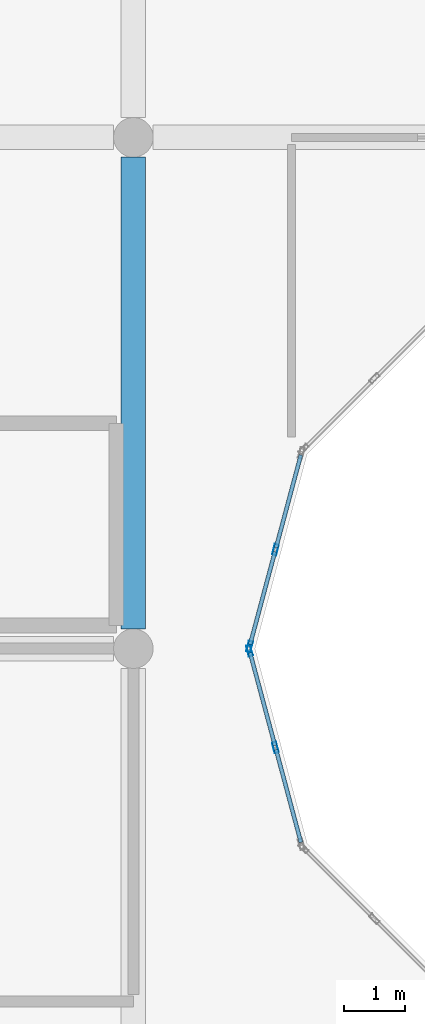
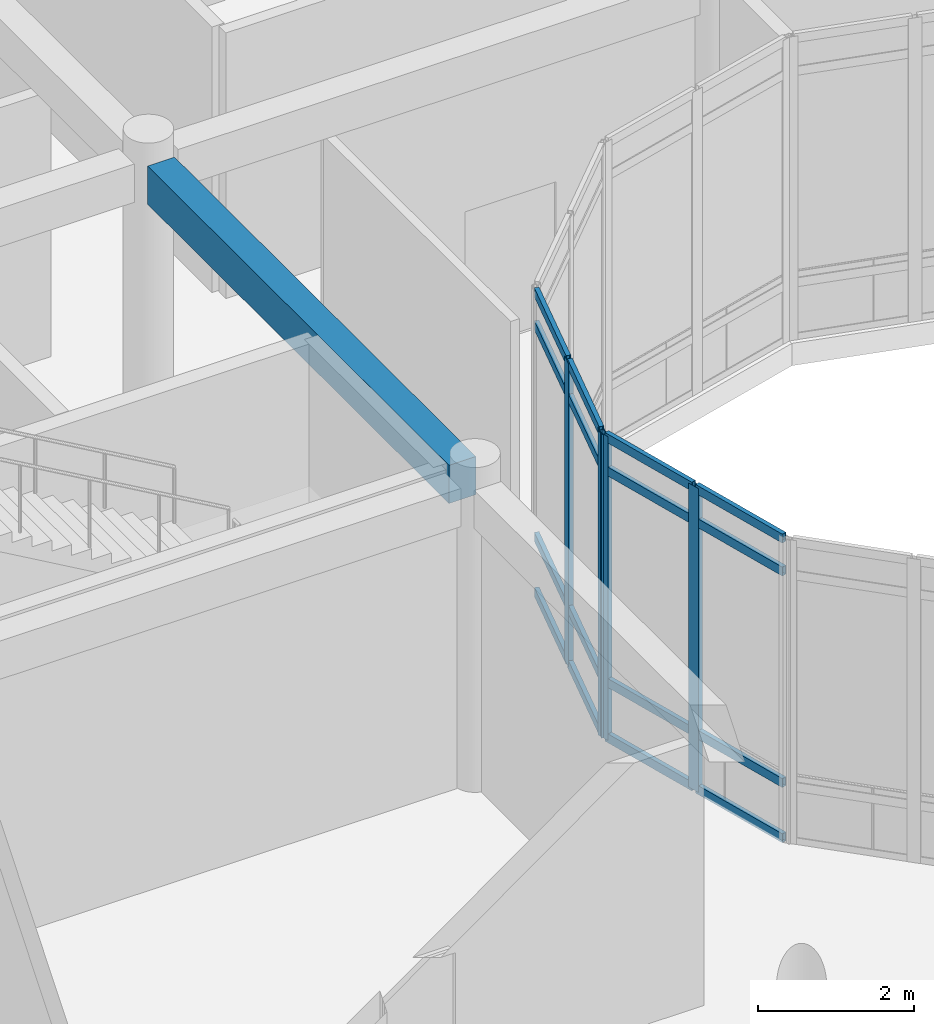
# One storey, part 49 of 134: 20 members, 1 beam, 2 elements without a shape of their own.
"""IFC4 building model written with IfcOpenShell, lengths in metres."""

from ifc_helpers import new_model, si_unit, direction, frame, origin, origin_2d, place, context, subcontext, project, spatial, rectangle, hollow_rectangle, extrude, material, layer, layer_set, material_profile, profile_set, type_object, element, aggregate, save


model = new_model("IFC4")

# Units and contexts
model_context = context("Model", 3, precision=1e-05, world=origin(), true_north=direction((0.0, 1.0)))
body_context = subcontext(model_context, "Body", "Model", "MODEL_VIEW")
ifc_project = project(units=[si_unit("LENGTHUNIT", "METRE"), si_unit("AREAUNIT", "SQUARE_METRE"), si_unit("VOLUMEUNIT", "CUBIC_METRE"), si_unit("PLANEANGLEUNIT", "RADIAN"), si_unit("MASSUNIT", "GRAM", prefix="KILO")], contexts=[model_context])

# Site, building, storey
site_placement = place(None, origin())
site = spatial("IfcSite", under=ifc_project, at=site_placement, CompositionType="ELEMENT")
building_placement = place(site_placement, origin())
building = spatial("IfcBuilding", under=site, at=building_placement, Name="Bramfleet General Hospital", CompositionType="ELEMENT")
storey_placement = place(building_placement, frame((0.0, 0.0, 9.300048828125)))
storey = spatial("IfcBuildingStorey", under=building, at=storey_placement, Name="L02", CompositionType="ELEMENT", Elevation=9.300048828125)

# Beam
ifc_material_1 = material(Name="Concrete C35/45", Category="concrete")
ifc_material_profile_1 = material_profile(ifc_material_1, rectangle(XDim=0.39990234375, YDim=0.60009765625, at=origin_2d()), Name="RC BM 600x400")
ifc_profile_set_1 = profile_set([ifc_material_profile_1], Name="Concrete C35/45")
beam_type = type_object("IfcBeamType", Name="BM-RC600", PredefinedType="BEAM", material=ifc_profile_set_1)
beam_placement = place(storey_placement, frame((109.199951171875, 67.52490234375, 4.47998046875), z_axis=(0.0, 1.0, 0.0), x_axis=(-1.0, 0.0, 0.0)))
element("IfcBeam", 1, at=beam_placement, inside=storey, type_object=beam_type, Name="L02 Grid Beam Y 13-08", PredefinedType="BEAM", context=body_context, shape_type="SweptSolid", body=[
    extrude(rectangle(XDim=0.39990234375, YDim=0.60009765625, at=origin_2d()), origin(), (0.0, 0.0, 1.0), 7.75),
])

# Curtain wall, members
ifc_material_2 = material(Name="Anodised aluminium and low-E triple glazing", Category="aluminium")
ifc_layer_1 = layer(ifc_material_2, 0.179931640625, Name="CWT-CW-13")
ifc_layer_set_1 = layer_set([ifc_layer_1], Name="Anodised aluminium and low-E triple glazing")
curtain_wall_type_1 = type_object("IfcCurtainWallType", Name="CWT-CW-13", PredefinedType="USERDEFINED", material=ifc_layer_set_1)
curtain_wall_1_placement = place(storey_placement, origin())
curtain_wall_1 = element("IfcCurtainWall", 2, at=curtain_wall_1_placement, inside=storey, type_object=curtain_wall_type_1, Name="L02 East Laboratory Light Court Curtain Wall 1.1", ObjectType="Stick curtain wall", PredefinedType="USERDEFINED")
ifc_material_3 = material(Name="Anodised aluminium EN AW-6060", Category="aluminium")
ifc_material_profile_2 = material_profile(ifc_material_3, hollow_rectangle(XDim=0.070068359375, YDim=0.179931640625, WallThickness=0.00390625, at=origin_2d()), Name="ALU 180x70x4.0")
ifc_profile_set_2 = profile_set([ifc_material_profile_2], Name="Anodised aluminium EN AW-6060")
member_type_1 = type_object("IfcMemberType", Name="CWM-ALU180", PredefinedType="MULLION", material=ifc_profile_set_2)
member_1_placement = place(storey_placement, frame((111.109130859375, 67.166259765625, 0.0), z_axis=(0.0, 0.0, 1.0), x_axis=(0.965913556273, 0.258864833085, 0.0)))
member_1 = element("IfcMember", 3, at=member_1_placement, type_object=member_type_1, Name="CW-13 mullion 1", PredefinedType="MULLION", context=body_context, shape_type="SweptSolid", body=[
    extrude(hollow_rectangle(XDim=0.070068359375, YDim=0.179931640625, WallThickness=0.00390625, at=origin_2d()), origin(), (0.0, 0.0, 1.0), 4.77001953125),
])
member_2_placement = place(storey_placement, frame((111.535400390625, 65.574951171875, 0.0), z_axis=(0.0, 0.0, 1.0), x_axis=(0.965913556273, 0.258864833085, 0.0)))
member_2 = element("IfcMember", 4, at=member_2_placement, type_object=member_type_1, Name="CW-13 mullion 2", PredefinedType="MULLION", context=body_context, shape_type="SweptSolid", body=[
    extrude(hollow_rectangle(XDim=0.070068359375, YDim=0.179931640625, WallThickness=0.00390625, at=origin_2d()), origin(), (0.0, 0.0, 1.0), 4.77001953125),
])

ifc_layer_2 = layer(ifc_material_2, 0.179931640625, Name="CWT-CW-16")
ifc_layer_set_2 = layer_set([ifc_layer_2], Name="Anodised aluminium and low-E triple glazing")
curtain_wall_type_2 = type_object("IfcCurtainWallType", Name="CWT-CW-16", PredefinedType="USERDEFINED", material=ifc_layer_set_2)
curtain_wall_2_placement = place(storey_placement, origin())
curtain_wall_2 = element("IfcCurtainWall", 5, at=curtain_wall_2_placement, inside=storey, type_object=curtain_wall_type_2, Name="L02 East Laboratory Light Court Curtain Wall 12.1", ObjectType="Stick curtain wall", PredefinedType="USERDEFINED")
member_3_placement = place(storey_placement, frame((111.535400390625, 68.824951171875, 0.0), z_axis=(0.0, 0.0, 1.0), x_axis=(0.965913556273, -0.258864833085, 0.0)))
member_3 = element("IfcMember", 6, at=member_3_placement, type_object=member_type_1, Name="CW-16 mullion 2", PredefinedType="MULLION", context=body_context, shape_type="SweptSolid", body=[
    extrude(hollow_rectangle(XDim=0.070068359375, YDim=0.179931640625, WallThickness=0.00390625, at=origin_2d()), origin(), (0.0, 0.0, 1.0), 4.77001953125),
])
member_4_placement = place(storey_placement, frame((111.109130859375, 67.23388671875, 0.0), z_axis=(0.0, 0.0, 1.0), x_axis=(0.965913556273, -0.258864833085, 0.0)))
member_4 = element("IfcMember", 7, at=member_4_placement, type_object=member_type_1, Name="CW-16 mullion 3", PredefinedType="MULLION", context=body_context, shape_type="SweptSolid", body=[
    extrude(hollow_rectangle(XDim=0.070068359375, YDim=0.179931640625, WallThickness=0.00390625, at=origin_2d()), origin(), (0.0, 0.0, 1.0), 4.77001953125),
])

# Member
ifc_material_profile_3 = material_profile(ifc_material_3, hollow_rectangle(XDim=0.06494140625, YDim=0.139892578125, WallThickness=0.00390625, at=origin_2d()), Name="ALU 140x65x4.0")
ifc_profile_set_3 = profile_set([ifc_material_profile_3], Name="Anodised aluminium EN AW-6060")
member_type_2 = type_object("IfcMemberType", Name="CWT-ALU140", PredefinedType="USERDEFINED", material=ifc_profile_set_3)
member_5_placement = place(storey_placement, frame((111.1181640625, 67.13232421875, 0.032470703125), z_axis=(0.258818617489, -0.965925940868, 0.0), x_axis=(0.965925940868, 0.258818617489, 0.0)))
member_5 = element("IfcMember", 8, at=member_5_placement, type_object=member_type_2, Name="CW-13 transom 1.1", ObjectType="TRANSOM", PredefinedType="USERDEFINED", context=body_context, shape_type="SweptSolid", body=[
    extrude(hollow_rectangle(XDim=0.06494140625, YDim=0.139892578125, WallThickness=0.00390625, at=origin_2d()), origin(), (0.0, 0.0, 1.0), 1.5771484375),
])

member_6_placement = place(storey_placement, frame((111.1181640625, 67.13232421875, 0.89990234375), z_axis=(0.258818617489, -0.965925940868, 0.0), x_axis=(0.965925940868, 0.258818617489, 0.0)))
member_6 = element("IfcMember", 9, at=member_6_placement, type_object=member_type_2, Name="CW-13 transom 1.2", ObjectType="TRANSOM", PredefinedType="USERDEFINED", context=body_context, shape_type="SweptSolid", body=[
    extrude(hollow_rectangle(XDim=0.06494140625, YDim=0.139892578125, WallThickness=0.00390625, at=origin_2d()), origin(), (0.0, 0.0, 1.0), 1.5771484375),
])

member_7_placement = place(storey_placement, frame((111.1181640625, 67.13232421875, 4.219970703125), z_axis=(0.258818617489, -0.965925940868, 0.0), x_axis=(0.965925940868, 0.258818617489, 0.0)))
member_7 = element("IfcMember", 10, at=member_7_placement, type_object=member_type_2, Name="CW-13 transom 1.3", ObjectType="TRANSOM", PredefinedType="USERDEFINED", context=body_context, shape_type="SweptSolid", body=[
    extrude(hollow_rectangle(XDim=0.06494140625, YDim=0.139892578125, WallThickness=0.00390625, at=origin_2d()), origin(), (0.0, 0.0, 1.0), 1.5771484375),
])

member_8_placement = place(storey_placement, frame((111.1181640625, 67.13232421875, 4.737548828125), z_axis=(0.258818617489, -0.965925940868, 0.0), x_axis=(0.965925940868, 0.258818617489, 0.0)))
member_8 = element("IfcMember", 11, at=member_8_placement, type_object=member_type_2, Name="CW-13 transom 1.4", ObjectType="TRANSOM", PredefinedType="USERDEFINED", context=body_context, shape_type="SweptSolid", body=[
    extrude(hollow_rectangle(XDim=0.06494140625, YDim=0.139892578125, WallThickness=0.00390625, at=origin_2d()), origin(), (0.0, 0.0, 1.0), 1.5771484375),
])

member_9_placement = place(storey_placement, frame((111.544677734375, 65.541259765625, 0.032470703125), z_axis=(0.25877992417, -0.965936307862, 0.0), x_axis=(0.965936307862, 0.25877992417, 0.0)))
member_9 = element("IfcMember", 12, at=member_9_placement, type_object=member_type_2, Name="CW-13 transom 2.1", ObjectType="TRANSOM", PredefinedType="USERDEFINED", context=body_context, shape_type="SweptSolid", body=[
    extrude(hollow_rectangle(XDim=0.06494140625, YDim=0.139892578125, WallThickness=0.00390625, at=origin_2d()), origin(), (0.0, 0.0, 1.0), 1.577392578125),
])

member_10_placement = place(storey_placement, frame((111.544677734375, 65.541259765625, 0.89990234375), z_axis=(0.25877992417, -0.965936307862, 0.0), x_axis=(0.965936307862, 0.25877992417, 0.0)))
member_10 = element("IfcMember", 13, at=member_10_placement, type_object=member_type_2, Name="CW-13 transom 2.2", ObjectType="TRANSOM", PredefinedType="USERDEFINED", context=body_context, shape_type="SweptSolid", body=[
    extrude(hollow_rectangle(XDim=0.06494140625, YDim=0.139892578125, WallThickness=0.00390625, at=origin_2d()), origin(), (0.0, 0.0, 1.0), 1.577392578125),
])

member_11_placement = place(storey_placement, frame((111.544677734375, 65.541259765625, 4.219970703125), z_axis=(0.25877992417, -0.965936307862, 0.0), x_axis=(0.965936307862, 0.25877992417, 0.0)))
member_11 = element("IfcMember", 14, at=member_11_placement, type_object=member_type_2, Name="CW-13 transom 2.3", ObjectType="TRANSOM", PredefinedType="USERDEFINED", context=body_context, shape_type="SweptSolid", body=[
    extrude(hollow_rectangle(XDim=0.06494140625, YDim=0.139892578125, WallThickness=0.00390625, at=origin_2d()), origin(), (0.0, 0.0, 1.0), 1.577392578125),
])

member_12_placement = place(storey_placement, frame((111.544677734375, 65.541259765625, 4.737548828125), z_axis=(0.25877992417, -0.965936307862, 0.0), x_axis=(0.965936307862, 0.25877992417, 0.0)))
member_12 = element("IfcMember", 15, at=member_12_placement, type_object=member_type_2, Name="CW-13 transom 2.4", ObjectType="TRANSOM", PredefinedType="USERDEFINED", context=body_context, shape_type="SweptSolid", body=[
    extrude(hollow_rectangle(XDim=0.06494140625, YDim=0.139892578125, WallThickness=0.00390625, at=origin_2d()), origin(), (0.0, 0.0, 1.0), 1.577392578125),
])

aggregate(curtain_wall_1, [member_1, member_2, member_5, member_6, member_7, member_8, member_9, member_10, member_11, member_12])

member_13_placement = place(storey_placement, frame((111.952880859375, 70.38232421875, 0.032470703125), z_axis=(-0.258818617489, -0.965925940868, 0.0), x_axis=(0.965925940868, -0.258818617489, 0.0)))
member_13 = element("IfcMember", 16, at=member_13_placement, type_object=member_type_2, Name="CW-16 transom 1.1", ObjectType="TRANSOM", PredefinedType="USERDEFINED", context=body_context, shape_type="SweptSolid", body=[
    extrude(hollow_rectangle(XDim=0.06494140625, YDim=0.139892578125, WallThickness=0.00390625, at=origin_2d()), origin(), (0.0, 0.0, 1.0), 1.5771484375),
])

member_14_placement = place(storey_placement, frame((111.952880859375, 70.38232421875, 0.89990234375), z_axis=(-0.258818617489, -0.965925940868, 0.0), x_axis=(0.965925940868, -0.258818617489, 0.0)))
member_14 = element("IfcMember", 17, at=member_14_placement, type_object=member_type_2, Name="CW-16 transom 1.2", ObjectType="TRANSOM", PredefinedType="USERDEFINED", context=body_context, shape_type="SweptSolid", body=[
    extrude(hollow_rectangle(XDim=0.06494140625, YDim=0.139892578125, WallThickness=0.00390625, at=origin_2d()), origin(), (0.0, 0.0, 1.0), 1.5771484375),
])

member_15_placement = place(storey_placement, frame((111.952880859375, 70.38232421875, 4.219970703125), z_axis=(-0.258818617489, -0.965925940868, 0.0), x_axis=(0.965925940868, -0.258818617489, 0.0)))
member_15 = element("IfcMember", 18, at=member_15_placement, type_object=member_type_2, Name="CW-16 transom 1.3", ObjectType="TRANSOM", PredefinedType="USERDEFINED", context=body_context, shape_type="SweptSolid", body=[
    extrude(hollow_rectangle(XDim=0.06494140625, YDim=0.139892578125, WallThickness=0.00390625, at=origin_2d()), origin(), (0.0, 0.0, 1.0), 1.5771484375),
])

member_16_placement = place(storey_placement, frame((111.952880859375, 70.38232421875, 4.737548828125), z_axis=(-0.258818617489, -0.965925940868, 0.0), x_axis=(0.965925940868, -0.258818617489, 0.0)))
member_16 = element("IfcMember", 19, at=member_16_placement, type_object=member_type_2, Name="CW-16 transom 1.4", ObjectType="TRANSOM", PredefinedType="USERDEFINED", context=body_context, shape_type="SweptSolid", body=[
    extrude(hollow_rectangle(XDim=0.06494140625, YDim=0.139892578125, WallThickness=0.00390625, at=origin_2d()), origin(), (0.0, 0.0, 1.0), 1.5771484375),
])

member_17_placement = place(storey_placement, frame((111.5263671875, 68.791259765625, 0.032470703125), z_axis=(-0.25877992417, -0.965936307862, 0.0), x_axis=(0.965936307862, -0.25877992417, 0.0)))
member_17 = element("IfcMember", 20, at=member_17_placement, type_object=member_type_2, Name="CW-16 transom 2.1", ObjectType="TRANSOM", PredefinedType="USERDEFINED", context=body_context, shape_type="SweptSolid", body=[
    extrude(hollow_rectangle(XDim=0.06494140625, YDim=0.139892578125, WallThickness=0.00390625, at=origin_2d()), origin(), (0.0, 0.0, 1.0), 1.577392578125),
])

member_18_placement = place(storey_placement, frame((111.5263671875, 68.791259765625, 0.89990234375), z_axis=(-0.25877992417, -0.965936307862, 0.0), x_axis=(0.965936307862, -0.25877992417, 0.0)))
member_18 = element("IfcMember", 21, at=member_18_placement, type_object=member_type_2, Name="CW-16 transom 2.2", ObjectType="TRANSOM", PredefinedType="USERDEFINED", context=body_context, shape_type="SweptSolid", body=[
    extrude(hollow_rectangle(XDim=0.06494140625, YDim=0.139892578125, WallThickness=0.00390625, at=origin_2d()), origin(), (0.0, 0.0, 1.0), 1.577392578125),
])

member_19_placement = place(storey_placement, frame((111.5263671875, 68.791259765625, 4.219970703125), z_axis=(-0.25877992417, -0.965936307862, 0.0), x_axis=(0.965936307862, -0.25877992417, 0.0)))
member_19 = element("IfcMember", 22, at=member_19_placement, type_object=member_type_2, Name="CW-16 transom 2.3", ObjectType="TRANSOM", PredefinedType="USERDEFINED", context=body_context, shape_type="SweptSolid", body=[
    extrude(hollow_rectangle(XDim=0.06494140625, YDim=0.139892578125, WallThickness=0.00390625, at=origin_2d()), origin(), (0.0, 0.0, 1.0), 1.577392578125),
])

member_20_placement = place(storey_placement, frame((111.5263671875, 68.791259765625, 4.737548828125), z_axis=(-0.25877992417, -0.965936307862, 0.0), x_axis=(0.965936307862, -0.25877992417, 0.0)))
member_20 = element("IfcMember", 23, at=member_20_placement, type_object=member_type_2, Name="CW-16 transom 2.4", ObjectType="TRANSOM", PredefinedType="USERDEFINED", context=body_context, shape_type="SweptSolid", body=[
    extrude(hollow_rectangle(XDim=0.06494140625, YDim=0.139892578125, WallThickness=0.00390625, at=origin_2d()), origin(), (0.0, 0.0, 1.0), 1.577392578125),
])

aggregate(curtain_wall_2, [member_3, member_4, member_13, member_14, member_15, member_16, member_17, member_18, member_19, member_20])

save(model, "model.ifc")
